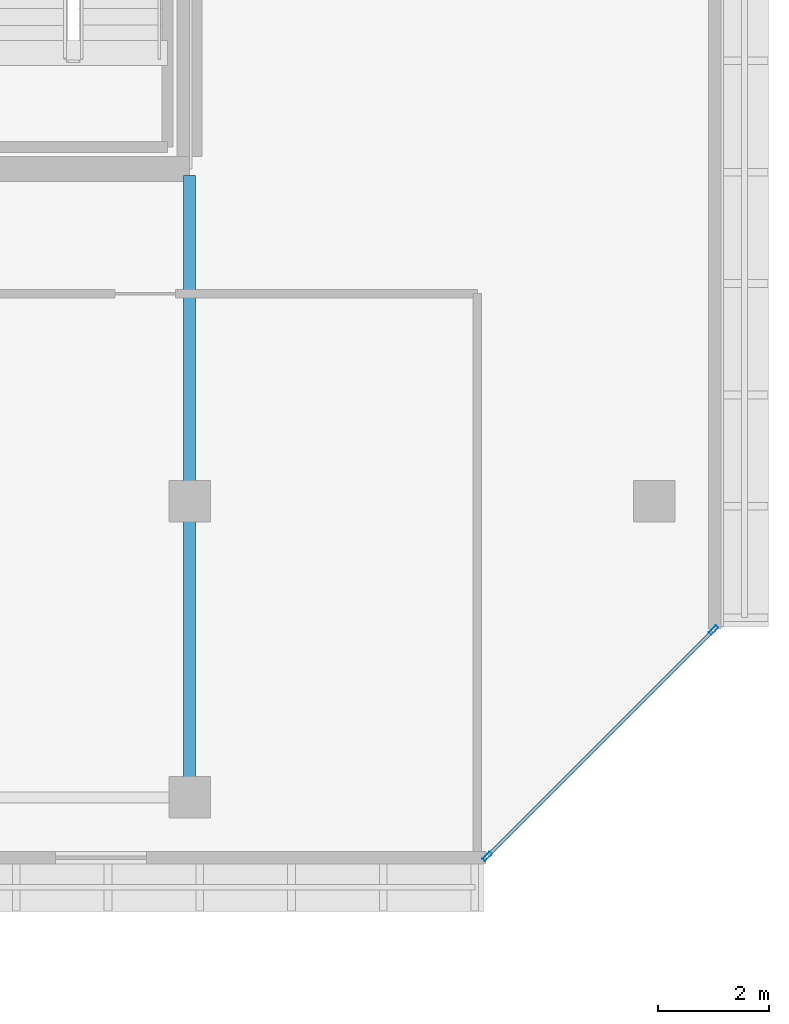
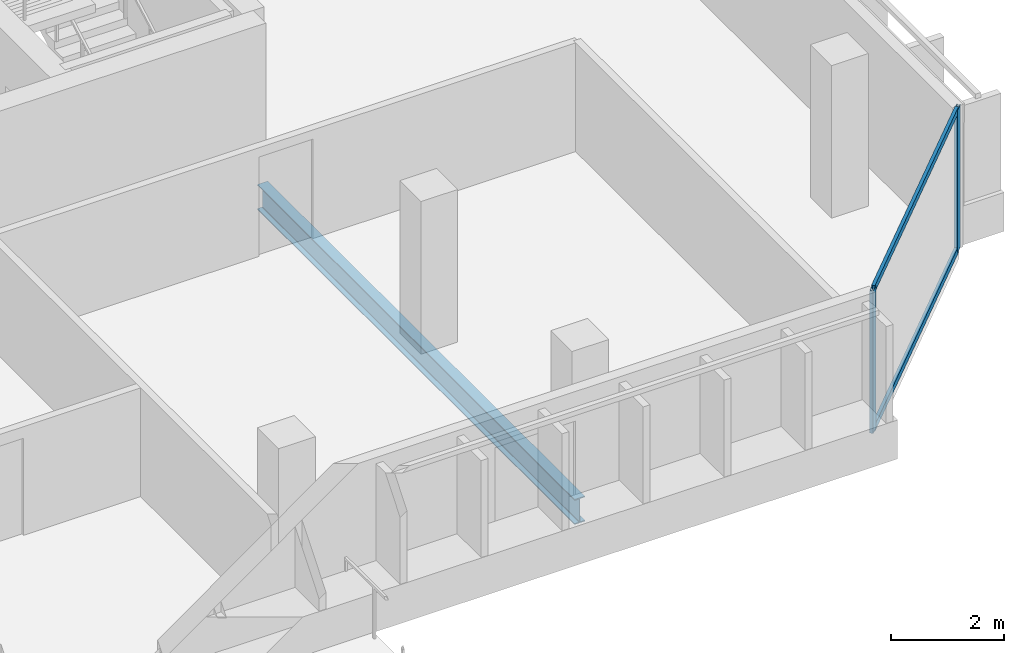
# One storey, part 10 of 25: 4 members, 1 beam, 1 element without a shape of its own.
"""IFC4 building model written with IfcOpenShell, lengths in metres."""

from ifc_helpers import new_model, si_unit, direction, frame, origin, origin_2d, place, context, subcontext, project, spatial, hollow_rectangle, i_section, extrude, material, layer, layer_set, material_profile, profile_set, type_object, element, aggregate, save


model = new_model("IFC4")

# Units and contexts
model_context = context("Model", 3, precision=1e-05, world=origin(), true_north=direction((0.0, 1.0)))
body_context = subcontext(model_context, "Body", "Model", "MODEL_VIEW")
ifc_project = project(units=[si_unit("LENGTHUNIT", "METRE"), si_unit("AREAUNIT", "SQUARE_METRE"), si_unit("VOLUMEUNIT", "CUBIC_METRE"), si_unit("PLANEANGLEUNIT", "RADIAN"), si_unit("MASSUNIT", "GRAM", prefix="KILO")], contexts=[model_context])

# Site, building, storey
site_placement = place(None, origin())
site = spatial("IfcSite", under=ifc_project, at=site_placement, CompositionType="ELEMENT")
building_placement = place(site_placement, origin())
building = spatial("IfcBuilding", under=site, at=building_placement, Name="Tanjung Sevakor Pilgrim Tower", CompositionType="ELEMENT")
storey_placement = place(building_placement, frame((0.0, 0.0, 204.929931640625)))
storey = spatial("IfcBuildingStorey", under=building, at=storey_placement, Name="L57", CompositionType="ELEMENT", Elevation=204.929931640625)

# Beam
ifc_material_1 = material(Name="Steel S355J2", Category="steel")
ifc_material_profile_1 = material_profile(ifc_material_1, i_section(OverallWidth=0.2119140625, OverallDepth=0.54443359375, WebThickness=0.0126953125, FlangeThickness=0.021240234375, FilletRadius=0.0126953125, at=origin_2d()))
ifc_profile_set_1 = profile_set([ifc_material_profile_1], Name="Steel S355J2")
beam_type = type_object("IfcBeamType", Name="BM-B-G5-UB_533x210x122", PredefinedType="BEAM", material=ifc_profile_set_1)
beam_placement = place(storey_placement, frame((90.0, 13.25, -0.4921875), z_axis=(0.0, 1.0, 0.0), x_axis=(-1.0, 0.0, 0.0)))
element("IfcBeam", 1, at=beam_placement, inside=storey, type_object=beam_type, Name="L57 MAIN Girder 009", PredefinedType="BEAM", context=body_context, shape_type="SweptSolid", body=[
    extrude(i_section(OverallWidth=0.2119140625, OverallDepth=0.54443359375, WebThickness=0.0126953125, FlangeThickness=0.021240234375, FilletRadius=0.0126953125, at=origin_2d()), origin(), (0.0, 0.0, 1.0), 11.235595703125),
])

# Curtain wall, members
ifc_material_2 = material(Name="Aluminium 6063-T6 and Low-E Glass", Category="aluminium")
ifc_layer = layer(ifc_material_2, 0.179931640625)
ifc_layer_set = layer_set([ifc_layer], Name="CW-SYS-CHAM")
curtain_wall_type = type_object("IfcCurtainWallType", Name="CW-SYS-CHAM", PredefinedType="NOTDEFINED", material=ifc_layer_set)
curtain_wall_placement = place(storey_placement, origin())
curtain_wall = element("IfcCurtainWall", 2, at=curtain_wall_placement, inside=storey, type_object=curtain_wall_type, Name="L57 Curtain Wall CW-CHM-L57-MAIN-5", PredefinedType="NOTDEFINED")
ifc_material_3 = material(Name="Aluminium 6063-T6", Category="aluminium")
ifc_material_profile_2 = material_profile(ifc_material_3, hollow_rectangle(XDim=0.06494140625, YDim=0.179931640625, WallThickness=0.00390625, at=origin_2d()))
ifc_profile_set_2 = profile_set([ifc_material_profile_2], Name="Aluminium 6063-T6")
member_type_1 = type_object("IfcMemberType", Name="TYPE-CWM-1", PredefinedType="MULLION", material=ifc_profile_set_2)
member_1_placement = place(storey_placement, frame((95.37744140625, 12.182861328125, 0.0), z_axis=(0.0, 0.0, 1.0), x_axis=(-0.707106781187, 0.707106781187, 0.0)))
member_1 = element("IfcMember", 3, at=member_1_placement, type_object=member_type_1, Name="CW-CHM mullion 1", PredefinedType="MULLION", context=body_context, shape_type="SweptSolid", body=[
    extrude(hollow_rectangle(XDim=0.06494140625, YDim=0.179931640625, WallThickness=0.00390625, at=origin_2d()), origin(), (0.0, 0.0, 1.0), 3.080078125),
])
member_2_placement = place(storey_placement, frame((99.467041015625, 16.272705078125, 0.0), z_axis=(0.0, 0.0, 1.0), x_axis=(-0.707106781187, 0.707106781187, 0.0)))
member_2 = element("IfcMember", 4, at=member_2_placement, type_object=member_type_1, Name="CW-CHM mullion 2", PredefinedType="MULLION", context=body_context, shape_type="SweptSolid", body=[
    extrude(hollow_rectangle(XDim=0.06494140625, YDim=0.179931640625, WallThickness=0.00390625, at=origin_2d()), origin(), (0.0, 0.0, 1.0), 3.080078125),
])
ifc_material_4 = material(Name="Aluminium 6063-T6", Category="aluminium")
ifc_material_profile_3 = material_profile(ifc_material_4, hollow_rectangle(XDim=0.06494140625, YDim=0.139892578125, WallThickness=0.00390625, at=origin_2d()))
ifc_profile_set_3 = profile_set([ifc_material_profile_3], Name="Aluminium 6063-T6")
member_type_2 = type_object("IfcMemberType", Name="TYPE-CWT-1", PredefinedType="USERDEFINED", material=ifc_profile_set_3)
member_3_placement = place(storey_placement, frame((95.400390625, 12.2060546875, 0.032470703125), z_axis=(0.707106781187, 0.707106781187, 0.0), x_axis=(-0.707106781187, 0.707106781187, 0.0)))
member_3 = element("IfcMember", 5, at=member_3_placement, type_object=member_type_2, Name="CW-CHM transom 1.1", ObjectType="TRANSOM", PredefinedType="USERDEFINED", context=body_context, shape_type="SweptSolid", body=[
    extrude(hollow_rectangle(XDim=0.06494140625, YDim=0.139892578125, WallThickness=0.00390625, at=origin_2d()), origin(), (0.0, 0.0, 1.0), 5.71875),
])
member_4_placement = place(storey_placement, frame((95.400390625, 12.2060546875, 3.047607421875), z_axis=(0.707106781187, 0.707106781187, 0.0), x_axis=(-0.707106781187, 0.707106781187, 0.0)))
member_4 = element("IfcMember", 6, at=member_4_placement, type_object=member_type_2, Name="CW-CHM transom 1.2", ObjectType="TRANSOM", PredefinedType="USERDEFINED", context=body_context, shape_type="SweptSolid", body=[
    extrude(hollow_rectangle(XDim=0.06494140625, YDim=0.139892578125, WallThickness=0.00390625, at=origin_2d()), origin(), (0.0, 0.0, 1.0), 5.71875),
])
aggregate(curtain_wall, [member_1, member_2, member_3, member_4])

save(model, "model.ifc")
